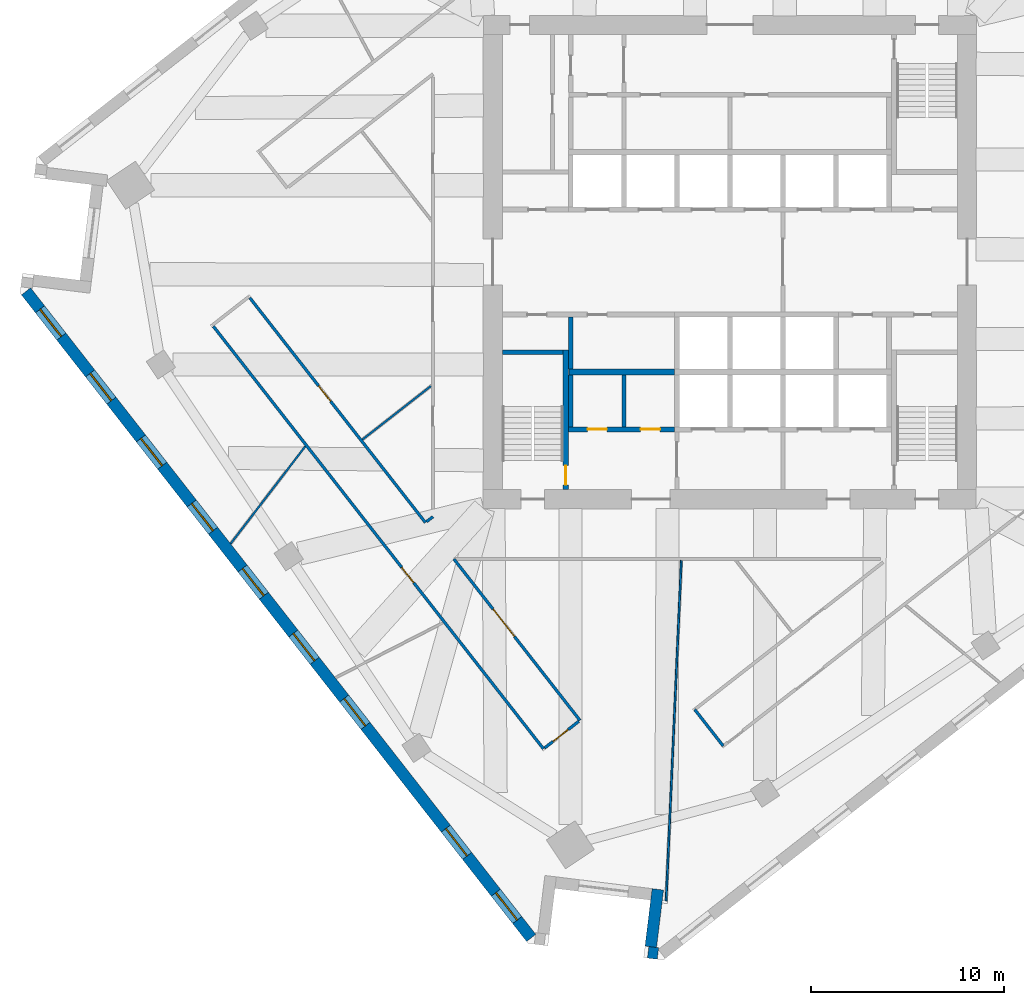
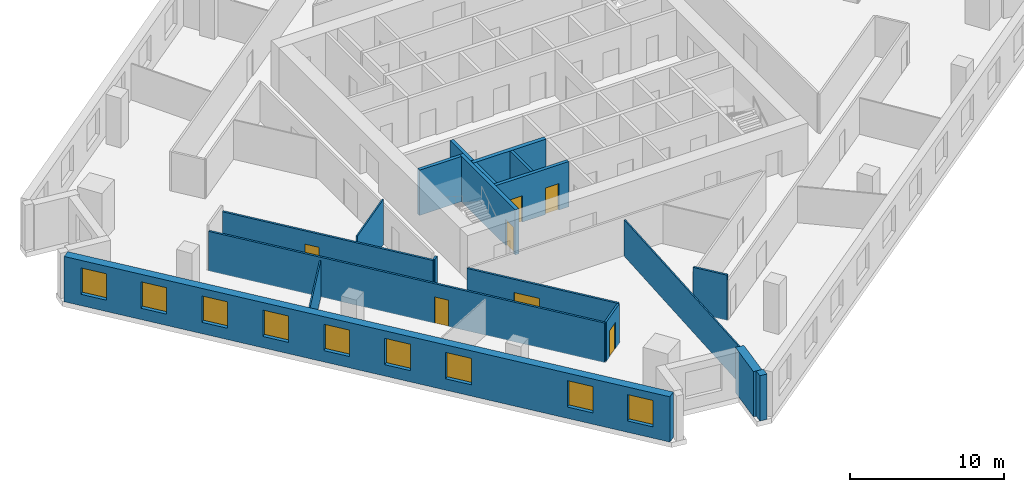
# One storey, part 4 of 11: 19 walls, 9 windows, 7 doors, 16 openings.
"""IFC4 building model written with IfcOpenShell, lengths in metres."""

from ifc_helpers import new_model, si_unit, direction, frame, frame_2d, origin, place, context, subcontext, project, spatial, rectangle, extrude, material, layer, layer_set, type_object, element, fill, save


model = new_model("IFC4")

# Units and contexts
model_context = context("Model", 3, precision=1e-05, world=origin(), true_north=direction((0.0, 1.0)))
body_context = subcontext(model_context, "Body", "Model", "MODEL_VIEW")
ifc_project = project(units=[si_unit("LENGTHUNIT", "METRE"), si_unit("AREAUNIT", "SQUARE_METRE"), si_unit("VOLUMEUNIT", "CUBIC_METRE"), si_unit("PLANEANGLEUNIT", "RADIAN"), si_unit("MASSUNIT", "GRAM", prefix="KILO")], contexts=[model_context])

# Site, building, storey
site_placement = place(None, origin())
site = spatial("IfcSite", under=ifc_project, at=site_placement, CompositionType="ELEMENT")
building_placement = place(site_placement, origin())
building = spatial("IfcBuilding", under=site, at=building_placement, Name="Dilmun Exchange Tower", CompositionType="ELEMENT")
storey_placement = place(building_placement, frame((0.0, 0.0, 179.699951171875)))
storey = spatial("IfcBuildingStorey", under=building, at=storey_placement, Name="L42", CompositionType="ELEMENT", Elevation=179.699951171875)

# Wall
ifc_material_1 = material(Name="Concrete C40/50", Category="concrete")
ifc_layer_1 = layer(ifc_material_1, 0.199951171875)
ifc_layer_set_1 = layer_set([ifc_layer_1], Name="Concrete C40/50")
wall_type_1 = type_object("IfcWallType", Name="Core partition wall 200", PredefinedType="PARTITIONING", material=ifc_layer_set_1)
wall_1_placement = place(storey_placement, frame((-5.5, -8.544921875, 0.0), z_axis=(0.0, 0.0, 1.0), x_axis=(0.0, 1.0, 0.0)))
element("IfcWall", 1, at=wall_1_placement, inside=storey, type_object=wall_type_1, Name="L42 core partition wall 05", PredefinedType="PARTITIONING", context=body_context, shape_type="SweptSolid", body=[
    extrude(rectangle(XDim=2.68994140625, YDim=0.199951171875, at=frame_2d((1.344970703125, 0.0))), origin(), (0.0, 0.0, 1.0), 3.60009765625),
])

# Wall, openings, doors
ifc_layer_2 = layer(ifc_material_1, 0.25)
ifc_layer_set_2 = layer_set([ifc_layer_2], Name="Concrete C40/50")
wall_type_2 = type_object("IfcWallType", Name="Core partition wall 250", PredefinedType="PARTITIONING", material=ifc_layer_set_2)
wall_2_placement = place(storey_placement, frame((-8.3701171875, -8.675048828125, 0.0), z_axis=(0.0, 0.0, 1.0), x_axis=(1.0, 0.0, 0.0)))
wall_2 = element("IfcWall", 2, at=wall_2_placement, inside=storey, type_object=wall_type_2, Name="L42 core partition wall 03", PredefinedType="PARTITIONING", context=body_context, shape_type="SweptSolid", body=[
    extrude(rectangle(XDim=5.490234375, YDim=0.25, at=frame_2d((2.7451171875, 0.0))), origin(), (0.0, 0.0, 1.0), 3.60009765625),
])
opening_1_placement = place(wall_2_placement, frame((0.9951171875, 0.0, 0.0)))
opening_1 = element("IfcOpeningElement", 3, at=opening_1_placement, cuts=wall_2, Name="Opening CD4", PredefinedType="OPENING", context=body_context, shape_type="SweptSolid", body=[
    extrude(rectangle(XDim=1.0, YDim=2.10009765625, at=frame_2d((0.5, 1.050048828125))), frame((0.0, 0.135009765625, 0.0), z_axis=(0.0, -1.0, 0.0), x_axis=(1.0, 0.0, 0.0)), (0.0, 0.0, 1.0), 0.27001953125),
])
opening_2_placement = place(wall_2_placement, frame((3.7451171875, 0.0, 0.0)))
opening_2 = element("IfcOpeningElement", 4, at=opening_2_placement, cuts=wall_2, Name="Opening CD4", PredefinedType="OPENING", context=body_context, shape_type="SweptSolid", body=[
    extrude(rectangle(XDim=1.0, YDim=2.10009765625, at=frame_2d((0.5, 1.050048828125))), frame((0.0, 0.135009765625, 0.0), z_axis=(0.0, -1.0, 0.0), x_axis=(1.0, 0.0, 0.0)), (0.0, 0.0, 1.0), 0.27001953125),
])
ifc_material_2 = material(Name="Fire-rated steel door set", Category="steel")
door_type_1 = type_object("IfcDoorType", Name="Core room door 1000x2100", OperationType="SINGLE_SWING_LEFT", PredefinedType="DOOR", material=ifc_material_2)
door_1_placement = place(opening_1_placement, origin())
door_1 = element("IfcDoor", 5, at=door_1_placement, inside=storey, type_object=door_type_1, Name="L42 door Male WC", OperationType="SINGLE_SWING_LEFT", OverallHeight=2.10009765625, OverallWidth=1.0, PredefinedType="DOOR", context=body_context, shape_type="SweptSolid", body=[
    extrude(rectangle(XDim=1.0, YDim=2.10009765625, at=frame_2d((0.5, 1.050048828125))), frame((0.0, 0.02490234375, 0.0), z_axis=(0.0, -1.0, 0.0), x_axis=(1.0, 0.0, 0.0)), (0.0, 0.0, 1.0), 0.050048828125),
])
fill(opening_1, door_1)
door_2_placement = place(opening_2_placement, origin())
door_2 = element("IfcDoor", 6, at=door_2_placement, inside=storey, type_object=door_type_1, Name="L42 door Female WC", OperationType="SINGLE_SWING_LEFT", OverallHeight=2.10009765625, OverallWidth=1.0, PredefinedType="DOOR", context=body_context, shape_type="SweptSolid", body=[
    extrude(rectangle(XDim=1.0, YDim=2.10009765625, at=frame_2d((0.5, 1.050048828125))), frame((0.0, 0.02490234375, 0.0), z_axis=(0.0, -1.0, 0.0), x_axis=(1.0, 0.0, 0.0)), (0.0, 0.0, 1.0), 0.050048828125),
])
fill(opening_2, door_2)

# Walls
for number, where, z_axis, x_axis, name in (
    (7, (-8.25, -8.544921875, 0.0), (0.0, 0.0, 1.0), (0.0, 1.0, 0.0), "L42 core partition wall 04"),
    (8, (-8.25, -5.544921875, 0.0), (0.0, 0.0, 1.0), (0.0, 1.0, 0.0), "L42 core partition wall 07"),
):
    element("IfcWall", number, at=place(storey_placement, frame(where, z_axis=z_axis, x_axis=x_axis)), inside=storey, type_object=wall_type_2, Name=name, PredefinedType="PARTITIONING", context=body_context, shape_type="SweptSolid", body=[
        extrude(rectangle(XDim=2.68994140625, YDim=0.25, at=frame_2d((1.344970703125, 0.0))), origin(), (0.0, 0.0, 1.0), 3.60009765625),
    ])
ifc_layer_3 = layer(ifc_material_1, 0.300048828125)
ifc_layer_set_3 = layer_set([ifc_layer_3], Name="Concrete C40/50")
wall_type_3 = type_object("IfcWallType", Name="Core partition wall 300", PredefinedType="PARTITIONING", material=ifc_layer_set_3)
wall_3_placement = place(storey_placement, frame((-8.35009765625, -5.699951171875, 0.0), z_axis=(0.0, 0.0, 1.0), x_axis=(1.0, 0.0, 0.0)))
element("IfcWall", 9, at=wall_3_placement, inside=storey, type_object=wall_type_3, Name="L42 core partition wall 06", PredefinedType="PARTITIONING", context=body_context, shape_type="SweptSolid", body=[
    extrude(rectangle(XDim=5.47021484375, YDim=0.300048828125, at=frame_2d((2.735107421875, 0.0))), origin(), (0.0, 0.0, 1.0), 3.60009765625),
])

# Wall, opening, door
ifc_material_3 = material(Name="Corridor wall 150")
ifc_layer_4 = layer(ifc_material_3, 0.14990234375)
ifc_layer_set_4 = layer_set([ifc_layer_4], Name="Corridor wall 150")
wall_type_4 = type_object("IfcWallType", Name="Corridor wall 150", PredefinedType="PARTITIONING", material=ifc_layer_set_4)
wall_4_placement = place(storey_placement, frame((-26.788818359375, -3.3310546875, 0.0), z_axis=(0.0, 0.0, 1.0), x_axis=(0.615659714696, -0.788012129158, 0.0)))
wall_4 = element("IfcWall", 10, at=wall_4_placement, inside=storey, type_object=wall_type_4, Name="Corridor wall", PredefinedType="PARTITIONING", context=body_context, shape_type="SweptSolid", body=[
    extrude(rectangle(XDim=27.810546875, YDim=0.14990234375, at=frame_2d((13.9052734375, 0.0))), origin(), (0.0, 0.0, 1.0), 3.150146484375),
])
opening_3_placement = place(wall_4_placement, frame((15.87158203125, 0.0, 0.0)))
opening_3 = element("IfcOpeningElement", 11, at=opening_3_placement, cuts=wall_4, Name="Opening TF41-D03", PredefinedType="OPENING", context=body_context, shape_type="SweptSolid", body=[
    extrude(rectangle(XDim=1.0, YDim=2.10009765625, at=frame_2d((0.5, 1.050048828125))), frame((0.0, 0.0849609375, 0.0), z_axis=(0.0, -1.0, 0.0), x_axis=(1.0, 0.0, 0.0)), (0.0, 0.0, 1.0), 0.169921875),
])
ifc_material_4 = material(Name="Fire door 1000 x 2100")
door_type_2 = type_object("IfcDoorType", Name="Fire door 1000 x 2100", OperationType="NOTDEFINED", PredefinedType="DOOR", material=ifc_material_4)
door_3_placement = place(opening_3_placement, frame((1.0, 0.0, 0.0), z_axis=(0.0, 0.0, 1.0), x_axis=(-1.0, 0.0, 0.0)))
door_3 = element("IfcDoor", 12, at=door_3_placement, inside=storey, type_object=door_type_2, Name="Door TF41-D03", OperationType="SINGLE_SWING_RIGHT", OverallHeight=2.10009765625, OverallWidth=1.0, PredefinedType="DOOR", context=body_context, shape_type="SweptSolid", body=[
    extrude(rectangle(XDim=1.0, YDim=2.10009765625, at=frame_2d((0.5, 1.050048828125))), frame((0.0, 0.02490234375, 0.0), z_axis=(0.0, -1.0, 0.0), x_axis=(1.0, 0.0, 0.0)), (0.0, 0.0, 1.0), 0.050048828125),
])
fill(opening_3, door_3)

wall_5_placement = place(storey_placement, frame((-24.897705078125, -1.85400390625, 0.0), z_axis=(0.0, 0.0, 1.0), x_axis=(0.615662298675, -0.788010110335, 0.0)))
wall_5 = element("IfcWall", 13, at=wall_5_placement, inside=storey, type_object=wall_type_4, Name="Corridor wall", PredefinedType="PARTITIONING", context=body_context, shape_type="SweptSolid", body=[
    extrude(rectangle(XDim=14.791748046875, YDim=0.14990234375, at=frame_2d((7.39599609375, 0.0))), origin(), (0.0, 0.0, 1.0), 3.150146484375),
])
opening_4_placement = place(wall_5_placement, frame((5.800048828125, 0.0, 0.0)))
opening_4 = element("IfcOpeningElement", 14, at=opening_4_placement, cuts=wall_5, Name="Opening TF41-D02", PredefinedType="OPENING", context=body_context, shape_type="SweptSolid", body=[
    extrude(rectangle(XDim=1.0, YDim=2.10009765625, at=frame_2d((0.5, 1.050048828125))), frame((0.0, 0.0849609375, 0.0), z_axis=(0.0, -1.0, 0.0), x_axis=(1.0, 0.0, 0.0)), (0.0, 0.0, 1.0), 0.169921875),
])
door_4_placement = place(opening_4_placement, origin())
door_4 = element("IfcDoor", 15, at=door_4_placement, inside=storey, type_object=door_type_2, Name="Door TF41-D02", OperationType="SINGLE_SWING_LEFT", OverallHeight=2.10009765625, OverallWidth=1.0, PredefinedType="DOOR", context=body_context, shape_type="SweptSolid", body=[
    extrude(rectangle(XDim=1.0, YDim=2.10009765625, at=frame_2d((0.5, 1.050048828125))), frame((0.0, 0.02490234375, 0.0), z_axis=(0.0, -1.0, 0.0), x_axis=(1.0, 0.0, 0.0)), (0.0, 0.0, 1.0), 0.050048828125),
])
fill(opening_4, door_4)

# Wall
wall_6_placement = place(storey_placement, frame((-15.731689453125, -13.4638671875, 0.0), z_axis=(0.0, 0.0, 1.0), x_axis=(0.788507933506, 0.615024583897, 0.0)))
element("IfcWall", 16, at=wall_6_placement, inside=storey, type_object=wall_type_4, Name="Corridor wall", PredefinedType="PARTITIONING", context=body_context, shape_type="SweptSolid", body=[
    extrude(rectangle(XDim=0.4208984375, YDim=0.14990234375, at=frame_2d((0.21044921875, 0.0))), origin(), (0.0, 0.0, 1.0), 3.150146484375),
])

# Wall, opening, door
wall_7_placement = place(storey_placement, frame((-14.31298828125, -15.40087890625, 0.0), z_axis=(0.0, 0.0, 1.0), x_axis=(0.615613702547, -0.78804807546, 0.0)))
wall_7 = element("IfcWall", 17, at=wall_7_placement, inside=storey, type_object=wall_type_4, Name="Corridor wall", PredefinedType="PARTITIONING", context=body_context, shape_type="SweptSolid", body=[
    extrude(rectangle(XDim=10.618896484375, YDim=0.14990234375, at=frame_2d((5.3095703125, 0.0))), origin(), (0.0, 0.0, 1.0), 3.150146484375),
])
opening_5_placement = place(wall_7_placement, frame((3.300048828125, 0.0, 0.0)))
opening_5 = element("IfcOpeningElement", 18, at=opening_5_placement, cuts=wall_7, Name="Opening TF41-D07", PredefinedType="OPENING", context=body_context, shape_type="SweptSolid", body=[
    extrude(rectangle(XDim=1.800048828125, YDim=2.10009765625, at=frame_2d((0.89990234375, 1.050048828125))), frame((0.0, 0.0849609375, 0.0), z_axis=(0.0, -1.0, 0.0), x_axis=(1.0, 0.0, 0.0)), (0.0, 0.0, 1.0), 0.169921875),
])
ifc_material_5 = material(Name="Fire door pair 1800 x 2100")
door_type_3 = type_object("IfcDoorType", Name="Fire door pair 1800 x 2100", OperationType="NOTDEFINED", PredefinedType="DOOR", material=ifc_material_5)
door_5_placement = place(opening_5_placement, origin())
door_5 = element("IfcDoor", 19, at=door_5_placement, inside=storey, type_object=door_type_3, Name="Door TF41-D07", OperationType="DOUBLE_DOOR_SINGLE_SWING", OverallHeight=2.10009765625, OverallWidth=1.800048828125, PredefinedType="DOOR", context=body_context, shape_type="SweptSolid", body=[
    extrude(rectangle(XDim=1.800048828125, YDim=2.10009765625, at=frame_2d((0.89990234375, 1.050048828125))), frame((0.0, 0.02490234375, 0.0), z_axis=(0.0, -1.0, 0.0), x_axis=(1.0, 0.0, 0.0)), (0.0, 0.0, 1.0), 0.050048828125),
])
fill(opening_5, door_5)

wall_8_placement = place(storey_placement, frame((-9.60791015625, -25.19970703125, 0.0), z_axis=(0.0, 0.0, 1.0), x_axis=(0.788111579875, 0.6155324018, 0.0)))
wall_8 = element("IfcWall", 20, at=wall_8_placement, inside=storey, type_object=wall_type_4, Name="Corridor wall", PredefinedType="PARTITIONING", context=body_context, shape_type="SweptSolid", body=[
    extrude(rectangle(XDim=2.249267578125, YDim=0.14990234375, at=frame_2d((1.12451171875, 0.0))), origin(), (0.0, 0.0, 1.0), 3.150146484375),
])
opening_6_placement = place(wall_8_placement, frame((0.550048828125, 0.0, 0.0)))
opening_6 = element("IfcOpeningElement", 21, at=opening_6_placement, cuts=wall_8, Name="Opening TF41-D08", PredefinedType="OPENING", context=body_context, shape_type="SweptSolid", body=[
    extrude(rectangle(XDim=1.0, YDim=2.10009765625, at=frame_2d((0.5, 1.050048828125))), frame((0.0, 0.0849609375, 0.0), z_axis=(0.0, -1.0, 0.0), x_axis=(1.0, 0.0, 0.0)), (0.0, 0.0, 1.0), 0.169921875),
])
door_6_placement = place(opening_6_placement, frame((1.0, 0.0, 0.0), z_axis=(0.0, 0.0, 1.0), x_axis=(-1.0, 0.0, 0.0)))
door_6 = element("IfcDoor", 22, at=door_6_placement, inside=storey, type_object=door_type_2, Name="Door TF41-D08", OperationType="SINGLE_SWING_LEFT", OverallHeight=2.10009765625, OverallWidth=1.0, PredefinedType="DOOR", context=body_context, shape_type="SweptSolid", body=[
    extrude(rectangle(XDim=1.0, YDim=2.10009765625, at=frame_2d((0.5, 1.050048828125))), frame((0.0, 0.02490234375, 0.0), z_axis=(0.0, -1.0, 0.0), x_axis=(1.0, 0.0, 0.0)), (0.0, 0.0, 1.0), 0.050048828125),
])
fill(opening_6, door_6)

# Walls
wall_9_placement = place(storey_placement, frame((-1.824951171875, -23.2041015625, 0.0), z_axis=(0.0, 0.0, 1.0), x_axis=(0.615792170082, -0.787908626216, 0.0)))
element("IfcWall", 23, at=wall_9_placement, inside=storey, type_object=wall_type_4, Name="Corridor wall", PredefinedType="PARTITIONING", context=body_context, shape_type="SweptSolid", body=[
    extrude(rectangle(XDim=2.398681640625, YDim=0.14990234375, at=frame_2d((1.19921875, 0.0))), origin(), (0.0, 0.0, 1.0), 3.60009765625),
])
ifc_material_6 = material(Name="Partition 100")
ifc_layer_5 = layer(ifc_material_6, 0.10009765625)
ifc_layer_set_5 = layer_set([ifc_layer_5], Name="Partition 100")
wall_type_5 = type_object("IfcWallType", Name="Partition 100", PredefinedType="PARTITIONING", material=ifc_layer_set_5)
wall_10_placement = place(storey_placement, frame((-25.89453125, -14.606689453125, 0.0), z_axis=(0.0, 0.0, 1.0), x_axis=(0.608671960686, 0.793421983735, 0.0)))
element("IfcWall", 24, at=wall_10_placement, inside=storey, type_object=wall_type_5, Name="Partition", PredefinedType="PARTITIONING", context=body_context, shape_type="SweptSolid", body=[
    extrude(rectangle(XDim=6.352294921875, YDim=0.10009765625, at=frame_2d((3.17626953125, 0.0))), origin(), (0.0, 0.0, 1.0), 2.900146484375),
])
wall_11_placement = place(storey_placement, frame((-19.058837890625, -9.205810546875, 0.0), z_axis=(0.0, 0.0, 1.0), x_axis=(0.787985790325, 0.615693425534, 0.0)))
element("IfcWall", 25, at=wall_11_placement, inside=storey, type_object=wall_type_5, Name="Partition", PredefinedType="PARTITIONING", context=body_context, shape_type="SweptSolid", body=[
    extrude(rectangle(XDim=4.509033203125, YDim=0.10009765625, at=frame_2d((2.25439453125, 0.0))), origin(), (0.0, 0.0, 1.0), 3.60009765625),
])
wall_12_placement = place(storey_placement, frame((-3.3095703125, -33.135009765625, 0.0), z_axis=(0.0, 0.0, 1.0), x_axis=(0.044752286744, 0.998998114528, 0.0)))
element("IfcWall", 26, at=wall_12_placement, inside=storey, type_object=wall_type_5, Name="Partition", PredefinedType="PARTITIONING", context=body_context, shape_type="SweptSolid", body=[
    extrude(rectangle(XDim=17.675537109375, YDim=0.10009765625, at=frame_2d((8.837890625, 0.0))), origin(), (0.0, 0.0, 1.0), 2.900146484375),
])

# Wall, openings, windows
ifc_material_7 = material(Name="Precast concrete C50/60", Category="concrete")
ifc_layer_6 = layer(ifc_material_7, 0.60009765625)
ifc_layer_set_6 = layer_set([ifc_layer_6], Name="Precast concrete C50/60")
wall_type_6 = type_object("IfcWallType", Name="Precast stone-clad wall 600", PredefinedType="STANDARD", material=ifc_layer_set_6)
wall_13_placement = place(storey_placement, frame((-36.502685546875, -1.51953125, 0.0), z_axis=(0.0, 0.0, 1.0), x_axis=(0.615658293455, -0.788013239546, 0.0)))
wall_13 = element("IfcWall", 27, at=wall_13_placement, inside=storey, type_object=wall_type_6, Name="Facade wall L42-09", PredefinedType="STANDARD", context=body_context, shape_type="SweptSolid", body=[
    extrude(rectangle(XDim=42.551513671875, YDim=0.60009765625, at=frame_2d((21.27587890625, 0.0))), origin(), (0.0, 0.0, 1.0), 3.60009765625),
])
opening_7_placement = place(wall_13_placement, frame((1.177978515625, 0.0, 0.89990234375)))
opening_7 = element("IfcOpeningElement", 28, at=opening_7_placement, cuts=wall_13, Name="Opening W180-210", PredefinedType="OPENING", context=body_context, shape_type="SweptSolid", body=[
    extrude(rectangle(XDim=1.800048828125, YDim=2.10009765625, at=frame_2d((0.89990234375, 1.050048828125))), frame((0.0, 0.31005859375, 0.0), z_axis=(0.0, -1.0, 0.0), x_axis=(1.0, 0.0, 0.0)), (0.0, 0.0, 1.0), 0.6201171875),
])
opening_8_placement = place(wall_13_placement, frame((5.395751953125, 0.0, 0.89990234375)))
opening_8 = element("IfcOpeningElement", 29, at=opening_8_placement, cuts=wall_13, Name="Opening W180-210", PredefinedType="OPENING", context=body_context, shape_type="SweptSolid", body=[
    extrude(rectangle(XDim=1.800048828125, YDim=2.10009765625, at=frame_2d((0.89990234375, 1.050048828125))), frame((0.0, 0.31005859375, 0.0), z_axis=(0.0, -1.0, 0.0), x_axis=(1.0, 0.0, 0.0)), (0.0, 0.0, 1.0), 0.6201171875),
])
opening_9_placement = place(wall_13_placement, frame((9.67578125, 0.0, 0.89990234375)))
opening_9 = element("IfcOpeningElement", 30, at=opening_9_placement, cuts=wall_13, Name="Opening W180-210", PredefinedType="OPENING", context=body_context, shape_type="SweptSolid", body=[
    extrude(rectangle(XDim=1.800048828125, YDim=2.10009765625, at=frame_2d((0.89990234375, 1.050048828125))), frame((0.0, 0.31005859375, 0.0), z_axis=(0.0, -1.0, 0.0), x_axis=(1.0, 0.0, 0.0)), (0.0, 0.0, 1.0), 0.6201171875),
])
opening_10_placement = place(wall_13_placement, frame((13.955810546875, 0.0, 0.89990234375)))
opening_10 = element("IfcOpeningElement", 31, at=opening_10_placement, cuts=wall_13, Name="Opening W180-210", PredefinedType="OPENING", context=body_context, shape_type="SweptSolid", body=[
    extrude(rectangle(XDim=1.800048828125, YDim=2.10009765625, at=frame_2d((0.89990234375, 1.050048828125))), frame((0.0, 0.31005859375, 0.0), z_axis=(0.0, -1.0, 0.0), x_axis=(1.0, 0.0, 0.0)), (0.0, 0.0, 1.0), 0.6201171875),
])
opening_11_placement = place(wall_13_placement, frame((18.235595703125, 0.0, 0.89990234375)))
opening_11 = element("IfcOpeningElement", 32, at=opening_11_placement, cuts=wall_13, Name="Opening W180-210", PredefinedType="OPENING", context=body_context, shape_type="SweptSolid", body=[
    extrude(rectangle(XDim=1.800048828125, YDim=2.10009765625, at=frame_2d((0.89990234375, 1.050048828125))), frame((0.0, 0.31005859375, 0.0), z_axis=(0.0, -1.0, 0.0), x_axis=(1.0, 0.0, 0.0)), (0.0, 0.0, 1.0), 0.6201171875),
])
opening_12_placement = place(wall_13_placement, frame((22.515625, 0.0, 0.89990234375)))
opening_12 = element("IfcOpeningElement", 33, at=opening_12_placement, cuts=wall_13, Name="Opening W180-210", PredefinedType="OPENING", context=body_context, shape_type="SweptSolid", body=[
    extrude(rectangle(XDim=1.800048828125, YDim=2.10009765625, at=frame_2d((0.89990234375, 1.050048828125))), frame((0.0, 0.31005859375, 0.0), z_axis=(0.0, -1.0, 0.0), x_axis=(1.0, 0.0, 0.0)), (0.0, 0.0, 1.0), 0.6201171875),
])
opening_13_placement = place(wall_13_placement, frame((26.795654296875, 0.0, 0.89990234375)))
opening_13 = element("IfcOpeningElement", 34, at=opening_13_placement, cuts=wall_13, Name="Opening W180-210", PredefinedType="OPENING", context=body_context, shape_type="SweptSolid", body=[
    extrude(rectangle(XDim=1.800048828125, YDim=2.10009765625, at=frame_2d((0.89990234375, 1.050048828125))), frame((0.0, 0.31005859375, 0.0), z_axis=(0.0, -1.0, 0.0), x_axis=(1.0, 0.0, 0.0)), (0.0, 0.0, 1.0), 0.6201171875),
])
opening_14_placement = place(wall_13_placement, frame((35.355712890625, 0.0, 0.89990234375)))
opening_14 = element("IfcOpeningElement", 35, at=opening_14_placement, cuts=wall_13, Name="Opening W180-210", PredefinedType="OPENING", context=body_context, shape_type="SweptSolid", body=[
    extrude(rectangle(XDim=1.800048828125, YDim=2.10009765625, at=frame_2d((0.89990234375, 1.050048828125))), frame((0.0, 0.31005859375, 0.0), z_axis=(0.0, -1.0, 0.0), x_axis=(1.0, 0.0, 0.0)), (0.0, 0.0, 1.0), 0.6201171875),
])
opening_15_placement = place(wall_13_placement, frame((39.573486328125, 0.0, 0.89990234375)))
opening_15 = element("IfcOpeningElement", 36, at=opening_15_placement, cuts=wall_13, Name="Opening W180-210", PredefinedType="OPENING", context=body_context, shape_type="SweptSolid", body=[
    extrude(rectangle(XDim=1.800048828125, YDim=2.10009765625, at=frame_2d((0.89990234375, 1.050048828125))), frame((0.0, 0.31005859375, 0.0), z_axis=(0.0, -1.0, 0.0), x_axis=(1.0, 0.0, 0.0)), (0.0, 0.0, 1.0), 0.6201171875),
])
ifc_material_8 = material(Name="Clear low-emissivity glass in aluminium frame", Category="aluminium")
window_type = type_object("IfcWindowType", Name="Punched window 1800 x 2100", PartitioningType="DOUBLE_PANEL_VERTICAL", PredefinedType="WINDOW", material=ifc_material_8)
window_1_placement = place(opening_7_placement, origin())
window_1 = element("IfcWindow", 37, at=window_1_placement, inside=storey, type_object=window_type, Name="Window 10.1", OverallHeight=2.10009765625, OverallWidth=1.800048828125, PartitioningType="SINGLE_PANEL", PredefinedType="WINDOW", context=body_context, shape_type="SweptSolid", body=[
    extrude(rectangle(XDim=1.800048828125, YDim=2.10009765625, at=frame_2d((0.89990234375, 1.050048828125))), frame((0.0, 0.030029296875, 0.0), z_axis=(0.0, -1.0, 0.0), x_axis=(1.0, 0.0, 0.0)), (0.0, 0.0, 1.0), 0.06005859375),
])
fill(opening_7, window_1)
window_2_placement = place(opening_8_placement, origin())
window_2 = element("IfcWindow", 38, at=window_2_placement, inside=storey, type_object=window_type, Name="Window 10.2", OverallHeight=2.10009765625, OverallWidth=1.800048828125, PartitioningType="SINGLE_PANEL", PredefinedType="WINDOW", context=body_context, shape_type="SweptSolid", body=[
    extrude(rectangle(XDim=1.800048828125, YDim=2.10009765625, at=frame_2d((0.89990234375, 1.050048828125))), frame((0.0, 0.030029296875, 0.0), z_axis=(0.0, -1.0, 0.0), x_axis=(1.0, 0.0, 0.0)), (0.0, 0.0, 1.0), 0.06005859375),
])
fill(opening_8, window_2)
window_3_placement = place(opening_9_placement, origin())
window_3 = element("IfcWindow", 39, at=window_3_placement, inside=storey, type_object=window_type, Name="Window 10.3", OverallHeight=2.10009765625, OverallWidth=1.800048828125, PartitioningType="SINGLE_PANEL", PredefinedType="WINDOW", context=body_context, shape_type="SweptSolid", body=[
    extrude(rectangle(XDim=1.800048828125, YDim=2.10009765625, at=frame_2d((0.89990234375, 1.050048828125))), frame((0.0, 0.030029296875, 0.0), z_axis=(0.0, -1.0, 0.0), x_axis=(1.0, 0.0, 0.0)), (0.0, 0.0, 1.0), 0.06005859375),
])
fill(opening_9, window_3)
window_4_placement = place(opening_10_placement, origin())
window_4 = element("IfcWindow", 40, at=window_4_placement, inside=storey, type_object=window_type, Name="Window 10.4", OverallHeight=2.10009765625, OverallWidth=1.800048828125, PartitioningType="SINGLE_PANEL", PredefinedType="WINDOW", context=body_context, shape_type="SweptSolid", body=[
    extrude(rectangle(XDim=1.800048828125, YDim=2.10009765625, at=frame_2d((0.89990234375, 1.050048828125))), frame((0.0, 0.030029296875, 0.0), z_axis=(0.0, -1.0, 0.0), x_axis=(1.0, 0.0, 0.0)), (0.0, 0.0, 1.0), 0.06005859375),
])
fill(opening_10, window_4)
window_5_placement = place(opening_11_placement, origin())
window_5 = element("IfcWindow", 41, at=window_5_placement, inside=storey, type_object=window_type, Name="Window 10.5", OverallHeight=2.10009765625, OverallWidth=1.800048828125, PartitioningType="SINGLE_PANEL", PredefinedType="WINDOW", context=body_context, shape_type="SweptSolid", body=[
    extrude(rectangle(XDim=1.800048828125, YDim=2.10009765625, at=frame_2d((0.89990234375, 1.050048828125))), frame((0.0, 0.030029296875, 0.0), z_axis=(0.0, -1.0, 0.0), x_axis=(1.0, 0.0, 0.0)), (0.0, 0.0, 1.0), 0.06005859375),
])
fill(opening_11, window_5)
window_6_placement = place(opening_12_placement, origin())
window_6 = element("IfcWindow", 42, at=window_6_placement, inside=storey, type_object=window_type, Name="Window 10.6", OverallHeight=2.10009765625, OverallWidth=1.800048828125, PartitioningType="SINGLE_PANEL", PredefinedType="WINDOW", context=body_context, shape_type="SweptSolid", body=[
    extrude(rectangle(XDim=1.800048828125, YDim=2.10009765625, at=frame_2d((0.89990234375, 1.050048828125))), frame((0.0, 0.030029296875, 0.0), z_axis=(0.0, -1.0, 0.0), x_axis=(1.0, 0.0, 0.0)), (0.0, 0.0, 1.0), 0.06005859375),
])
fill(opening_12, window_6)
window_7_placement = place(opening_13_placement, origin())
window_7 = element("IfcWindow", 43, at=window_7_placement, inside=storey, type_object=window_type, Name="Window 10.7", OverallHeight=2.10009765625, OverallWidth=1.800048828125, PartitioningType="SINGLE_PANEL", PredefinedType="WINDOW", context=body_context, shape_type="SweptSolid", body=[
    extrude(rectangle(XDim=1.800048828125, YDim=2.10009765625, at=frame_2d((0.89990234375, 1.050048828125))), frame((0.0, 0.030029296875, 0.0), z_axis=(0.0, -1.0, 0.0), x_axis=(1.0, 0.0, 0.0)), (0.0, 0.0, 1.0), 0.06005859375),
])
fill(opening_13, window_7)
window_8_placement = place(opening_14_placement, origin())
window_8 = element("IfcWindow", 44, at=window_8_placement, inside=storey, type_object=window_type, Name="Window 10.9", OverallHeight=2.10009765625, OverallWidth=1.800048828125, PartitioningType="SINGLE_PANEL", PredefinedType="WINDOW", context=body_context, shape_type="SweptSolid", body=[
    extrude(rectangle(XDim=1.800048828125, YDim=2.10009765625, at=frame_2d((0.89990234375, 1.050048828125))), frame((0.0, 0.030029296875, 0.0), z_axis=(0.0, -1.0, 0.0), x_axis=(1.0, 0.0, 0.0)), (0.0, 0.0, 1.0), 0.06005859375),
])
fill(opening_14, window_8)
window_9_placement = place(opening_15_placement, origin())
window_9 = element("IfcWindow", 45, at=window_9_placement, inside=storey, type_object=window_type, Name="Window 10.10", OverallHeight=2.10009765625, OverallWidth=1.800048828125, PartitioningType="SINGLE_PANEL", PredefinedType="WINDOW", context=body_context, shape_type="SweptSolid", body=[
    extrude(rectangle(XDim=1.800048828125, YDim=2.10009765625, at=frame_2d((0.89990234375, 1.050048828125))), frame((0.0, 0.030029296875, 0.0), z_axis=(0.0, -1.0, 0.0), x_axis=(1.0, 0.0, 0.0)), (0.0, 0.0, 1.0), 0.06005859375),
])
fill(opening_15, window_9)

# Walls
wall_14_placement = place(storey_placement, frame((-3.738037109375, -32.5322265625, 0.0), z_axis=(0.0, 0.0, 1.0), x_axis=(-0.121901146576, -0.992542246186, 0.0)))
element("IfcWall", 46, at=wall_14_placement, inside=storey, type_object=wall_type_6, Name="Facade wall L42-13", PredefinedType="STANDARD", context=body_context, shape_type="SweptSolid", body=[
    extrude(rectangle(XDim=3.000244140625, YDim=0.60009765625, at=frame_2d((1.5, 0.0))), origin(), (0.0, 0.0, 1.0), 3.60009765625),
])
wall_15_placement = place(storey_placement, frame((-4.239501953125, -35.79541015625, 0.0), z_axis=(0.0, 0.0, 1.0), x_axis=(0.992554603024, -0.121800492671, 0.0)))
element("IfcWall", 47, at=wall_15_placement, inside=storey, type_object=wall_type_6, Name="Facade wall L42-14", PredefinedType="STANDARD", context=body_context, shape_type="SweptSolid", body=[
    extrude(rectangle(XDim=0.51123046875, YDim=0.60009765625, at=frame_2d((0.255615234375, 0.0))), origin(), (0.0, 0.0, 1.0), 3.60009765625),
])
ifc_layer_7 = layer(ifc_material_1, 0.25)
ifc_layer_set_7 = layer_set([ifc_layer_7], Name="Concrete C40/50")
wall_type_7 = type_object("IfcWallType", Name="Stair end wall 250", PredefinedType="SOLIDWALL", material=ifc_layer_set_7)
wall_16_placement = place(storey_placement, frame((-8.64990234375, -4.675048828125, 0.0), z_axis=(0.0, 0.0, 1.0), x_axis=(-1.0, 0.0, 0.0)))
element("IfcWall", 48, at=wall_16_placement, inside=storey, type_object=wall_type_7, Name="L42 ST2 far wall", PredefinedType="SOLIDWALL", context=body_context, shape_type="SweptSolid", body=[
    extrude(rectangle(XDim=3.150146484375, YDim=0.25, at=frame_2d((1.5751953125, 0.0))), origin(), (0.0, 0.0, 1.0), 3.60009765625),
])

# Wall, opening, door
ifc_layer_8 = layer(ifc_material_1, 0.27490234375)
ifc_layer_set_8 = layer_set([ifc_layer_8], Name="Concrete C40/50")
wall_type_8 = type_object("IfcWallType", Name="Stair wall 275", PredefinedType="SOLIDWALL", material=ifc_layer_set_8)
wall_17_placement = place(storey_placement, frame((-8.512451171875, -4.550048828125, 0.0), z_axis=(0.0, 0.0, 1.0), x_axis=(0.0, -1.0, 0.0)))
wall_17 = element("IfcWall", 49, at=wall_17_placement, inside=storey, type_object=wall_type_8, Name="L42 ST2 wall to lift block", PredefinedType="SOLIDWALL", context=body_context, shape_type="SweptSolid", body=[
    extrude(rectangle(XDim=7.25, YDim=0.27490234375, at=frame_2d((3.625, 0.0))), origin(), (0.0, 0.0, 1.0), 3.60009765625),
])
opening_16_placement = place(wall_17_placement, frame((6.0, 0.0, 0.0)))
opening_16 = element("IfcOpeningElement", 50, at=opening_16_placement, cuts=wall_17, Name="Opening CD4", PredefinedType="OPENING", context=body_context, shape_type="SweptSolid", body=[
    extrude(rectangle(XDim=1.0, YDim=2.10009765625, at=frame_2d((0.5, 1.050048828125))), frame((0.0, 0.1474609375, 0.0), z_axis=(0.0, -1.0, 0.0), x_axis=(1.0, 0.0, 0.0)), (0.0, 0.0, 1.0), 0.294921875),
])
door_7_placement = place(opening_16_placement, origin())
door_7 = element("IfcDoor", 51, at=door_7_placement, inside=storey, type_object=door_type_1, Name="L42 door ST2 from lobby", OperationType="SINGLE_SWING_LEFT", OverallHeight=2.10009765625, OverallWidth=1.0, PredefinedType="DOOR", context=body_context, shape_type="SweptSolid", body=[
    extrude(rectangle(XDim=1.0, YDim=2.10009765625, at=frame_2d((0.5, 1.050048828125))), frame((0.0, 0.02490234375, 0.0), z_axis=(0.0, -1.0, 0.0), x_axis=(1.0, 0.0, 0.0)), (0.0, 0.0, 1.0), 0.050048828125),
])
fill(opening_16, door_7)

save(model, "model.ifc")
